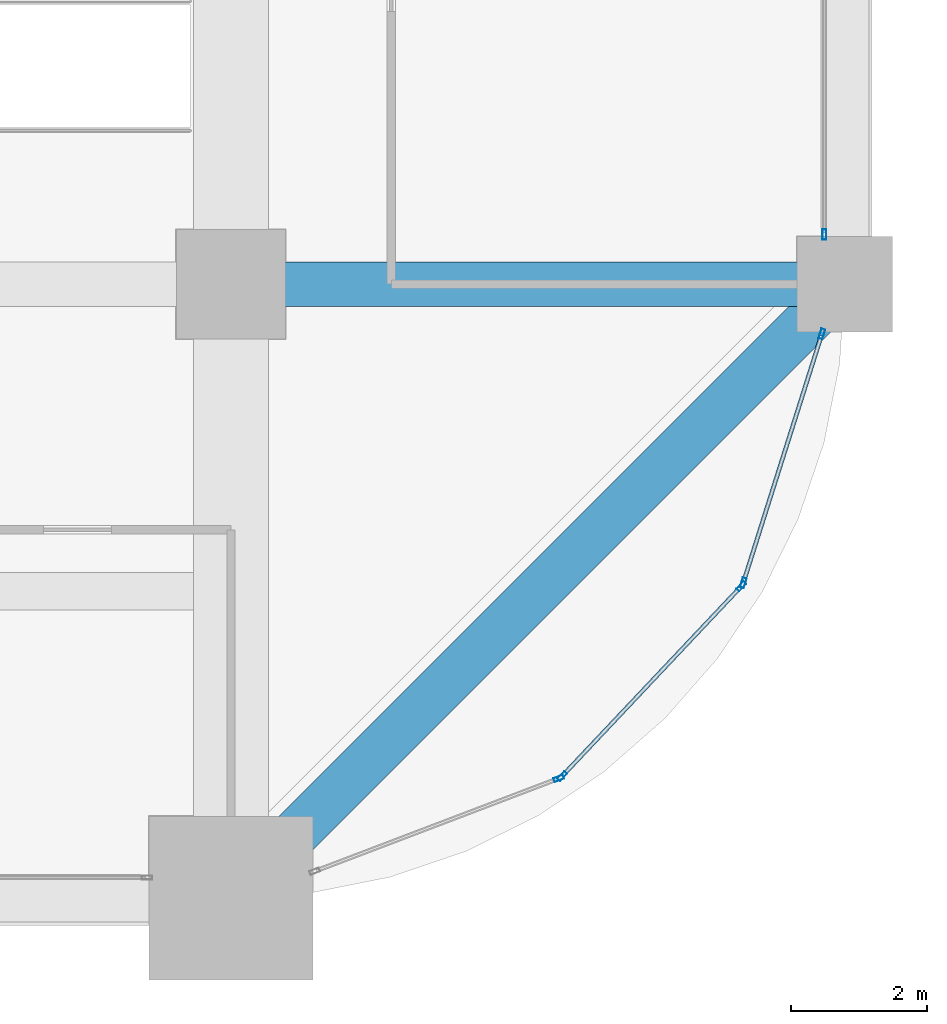
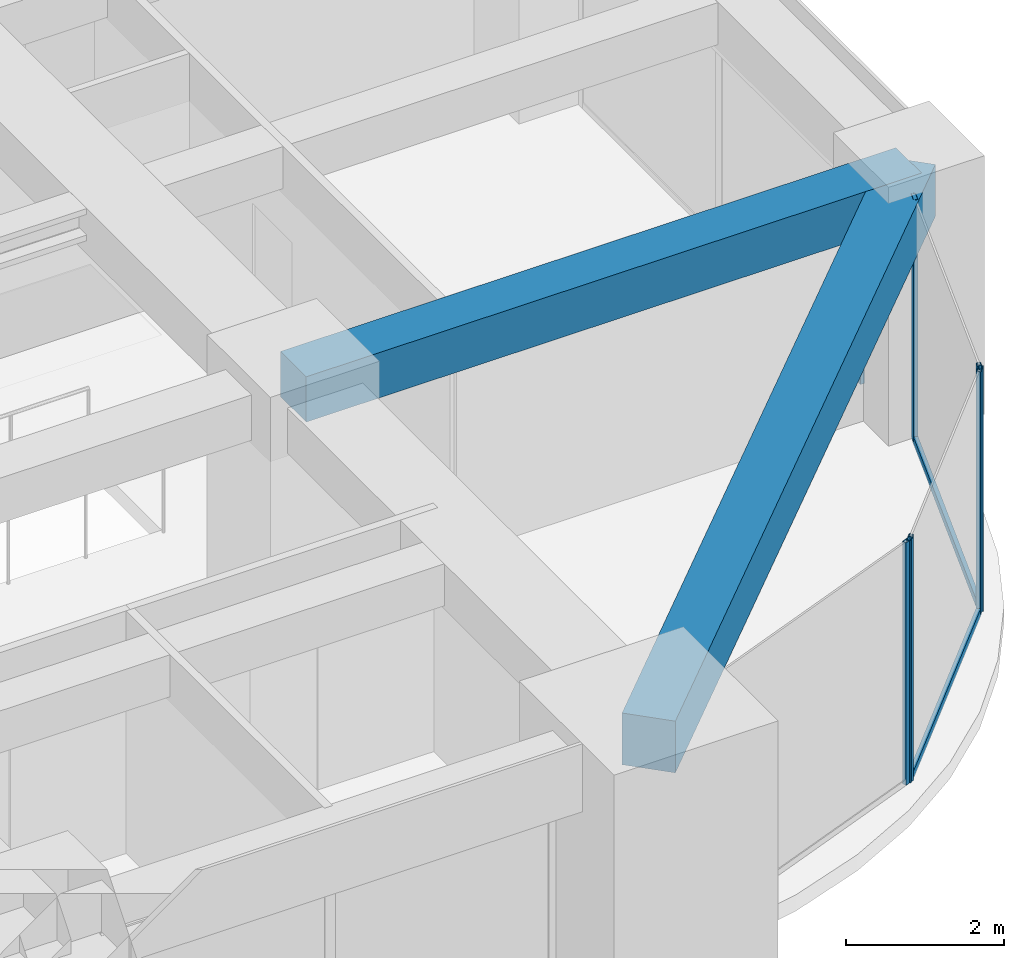
# One storey, part 16 of 33: 8 members, 2 beams, 4 elements without a shape of their own.
"""IFC4 building model written with IfcOpenShell, lengths in metres."""

from ifc_helpers import new_model, si_unit, direction, frame, origin, origin_2d, place, context, subcontext, project, spatial, rectangle, hollow_rectangle, extrude, material, material_profile, profile_set, type_object, element, aggregate, save


model = new_model("IFC4")

# Units and contexts
model_context = context("Model", 3, precision=1e-05, world=origin(), true_north=direction((0.0, 1.0)))
body_context = subcontext(model_context, "Body", "Model", "MODEL_VIEW")
ifc_project = project(units=[si_unit("LENGTHUNIT", "METRE"), si_unit("AREAUNIT", "SQUARE_METRE"), si_unit("VOLUMEUNIT", "CUBIC_METRE"), si_unit("PLANEANGLEUNIT", "RADIAN"), si_unit("MASSUNIT", "GRAM", prefix="KILO")], contexts=[model_context])

# Site, building, storey
site_placement = place(None, origin())
site = spatial("IfcSite", under=ifc_project, at=site_placement, CompositionType="ELEMENT")
building_placement = place(site_placement, origin())
building = spatial("IfcBuilding", under=site, at=building_placement, Name="Zorevar Civic Tower", CompositionType="ELEMENT")
storey_placement = place(building_placement, frame((0.0, 0.0, 178.199951171875)))
storey = spatial("IfcBuildingStorey", under=building, at=storey_placement, Name="L43", CompositionType="ELEMENT", Elevation=178.199951171875)

# Beam
ifc_material_1 = material(Name="Concrete C50/60", Category="concrete")
ifc_material_profile_1 = material_profile(ifc_material_1, rectangle(XDim=0.64990234375, YDim=0.699951171875, at=origin_2d()), Name="RC 650x700")
ifc_profile_set_1 = profile_set([ifc_material_profile_1], Name="Concrete C50/60")
beam_type_1 = type_object("IfcBeamType", Name="Beam RC 650x700", PredefinedType="BEAM", material=ifc_profile_set_1)
beam_1_placement = place(storey_placement, frame((45.0, 9.0, 3.400146484375), z_axis=(1.0, 0.0, 0.0), x_axis=(0.0, 1.0, 0.0)))
element("IfcBeam", 1, at=beam_1_placement, inside=storey, type_object=beam_type_1, Name="Girder L44", PredefinedType="BEAM", context=body_context, shape_type="SweptSolid", body=[
    extrude(rectangle(XDim=0.64990234375, YDim=0.699951171875, at=origin_2d()), origin(), (0.0, 0.0, 1.0), 9.0),
])

# Curtain wall, member
ifc_material_2 = material(Name="Dark grey solar-control glass in black aluminium frame", Category="aluminium")
curtain_wall_type = type_object("IfcCurtainWallType", Name="Curtain wall CW4 high zone", PredefinedType="NOTDEFINED", material=ifc_material_2)
curtain_wall_1_placement = place(storey_placement, origin())
curtain_wall_1 = element("IfcCurtainWall", 2, at=curtain_wall_1_placement, inside=storey, type_object=curtain_wall_type, Name="CW4 L43", PredefinedType="NOTDEFINED")
ifc_material_3 = material(Name="Aluminium, black anodised", Category="aluminium")
ifc_material_profile_2 = material_profile(ifc_material_3, hollow_rectangle(XDim=0.06005859375, YDim=0.14990234375, WallThickness=0.00390625, at=origin_2d()), Name="AL 150x60x4")
ifc_profile_set_2 = profile_set([ifc_material_profile_2], Name="Aluminium, black anodised")
member_type_1 = type_object("IfcMemberType", Name="CW4 mullion AL 150x60x4", PredefinedType="MULLION", material=ifc_profile_set_2)
member_1_placement = place(storey_placement, frame((53.699951171875, 9.72998046875, 0.0), z_axis=(0.0, 0.0, 1.0), x_axis=(-1.0, 0.0, 0.0)))
member_1 = element("IfcMember", 3, at=member_1_placement, type_object=member_type_1, Name="CW4 mullion 1", PredefinedType="MULLION", context=body_context, shape_type="SweptSolid", body=[
    extrude(hollow_rectangle(XDim=0.06005859375, YDim=0.14990234375, WallThickness=0.00390625, at=origin_2d()), origin(), (0.0, 0.0, 1.0), 2.949951171875),
])
aggregate(curtain_wall_1, [member_1])

curtain_wall_2_placement = place(storey_placement, origin())
curtain_wall_2 = element("IfcCurtainWall", 4, at=curtain_wall_2_placement, inside=storey, type_object=curtain_wall_type, Name="CW4 L43", PredefinedType="NOTDEFINED")
member_2_placement = place(storey_placement, frame((49.804931640625, 1.75537109375, 0.0), z_axis=(0.0, 0.0, 1.0), x_axis=(-0.355730895803, 0.93458842801, 0.0)))
member_2 = element("IfcMember", 5, at=member_2_placement, type_object=member_type_1, Name="CW4 mullion 2", PredefinedType="MULLION", context=body_context, shape_type="SweptSolid", body=[
    extrude(hollow_rectangle(XDim=0.06005859375, YDim=0.14990234375, WallThickness=0.00390625, at=origin_2d()), origin(), (0.0, 0.0, 1.0), 3.75),
])
aggregate(curtain_wall_2, [member_2])

# Curtain wall, members
curtain_wall_3_placement = place(storey_placement, origin())
curtain_wall_3 = element("IfcCurtainWall", 6, at=curtain_wall_3_placement, inside=storey, type_object=curtain_wall_type, Name="CW4 L43", PredefinedType="NOTDEFINED")
member_3_placement = place(storey_placement, frame((49.853759765625, 1.787841796875, 0.0), z_axis=(0.0, 0.0, 1.0), x_axis=(-0.727245053898, 0.686377907265, 0.0)))
member_3 = element("IfcMember", 7, at=member_3_placement, type_object=member_type_1, Name="CW4 mullion 1", PredefinedType="MULLION", context=body_context, shape_type="SweptSolid", body=[
    extrude(hollow_rectangle(XDim=0.06005859375, YDim=0.14990234375, WallThickness=0.00390625, at=origin_2d()), origin(), (0.0, 0.0, 1.0), 3.75),
])
member_4_placement = place(storey_placement, frame((52.480712890625, 4.5712890625, 0.0), z_axis=(0.0, 0.0, 1.0), x_axis=(-0.727245053898, 0.686377907265, 0.0)))
member_4 = element("IfcMember", 8, at=member_4_placement, type_object=member_type_1, Name="CW4 mullion 2", PredefinedType="MULLION", context=body_context, shape_type="SweptSolid", body=[
    extrude(hollow_rectangle(XDim=0.06005859375, YDim=0.14990234375, WallThickness=0.00390625, at=origin_2d()), origin(), (0.0, 0.0, 1.0), 3.75),
])

curtain_wall_4_placement = place(storey_placement, origin())
curtain_wall_4 = element("IfcCurtainWall", 9, at=curtain_wall_4_placement, inside=storey, type_object=curtain_wall_type, Name="CW4 L43", PredefinedType="NOTDEFINED")
member_5_placement = place(storey_placement, frame((52.51025390625, 4.62158203125, 0.0), z_axis=(0.0, 0.0, 1.0), x_axis=(-0.953589950678, 0.301108296077, 0.0)))
member_5 = element("IfcMember", 10, at=member_5_placement, type_object=member_type_1, Name="CW4 mullion 1", PredefinedType="MULLION", context=body_context, shape_type="SweptSolid", body=[
    extrude(hollow_rectangle(XDim=0.06005859375, YDim=0.14990234375, WallThickness=0.00390625, at=origin_2d()), origin(), (0.0, 0.0, 1.0), 3.75),
])
member_6_placement = place(storey_placement, frame((53.66259765625, 8.271484375, 0.0), z_axis=(0.0, 0.0, 1.0), x_axis=(-0.953589950678, 0.301108296077, 0.0)))
member_6 = element("IfcMember", 11, at=member_6_placement, type_object=member_type_1, Name="CW4 mullion 2", PredefinedType="MULLION", context=body_context, shape_type="SweptSolid", body=[
    extrude(hollow_rectangle(XDim=0.06005859375, YDim=0.14990234375, WallThickness=0.00390625, at=origin_2d()), origin(), (0.0, 0.0, 1.0), 3.75),
])

# Member
ifc_material_4 = material(Name="Aluminium, black anodised", Category="aluminium")
ifc_material_profile_3 = material_profile(ifc_material_4, hollow_rectangle(XDim=0.06005859375, YDim=0.1201171875, WallThickness=0.0029296875, at=origin_2d()), Name="AL 120x60x3")
ifc_profile_set_3 = profile_set([ifc_material_profile_3], Name="Aluminium, black anodised")
member_type_2 = type_object("IfcMemberType", Name="CW4 transom AL 120x60x3", PredefinedType="USERDEFINED", material=ifc_profile_set_3)
member_7_placement = place(storey_placement, frame((49.874267578125, 1.8095703125, 0.030029296875), z_axis=(0.686332338526, 0.727288059227, 0.0), x_axis=(-0.727288059227, 0.686332338526, 0.0)))
member_7 = element("IfcMember", 12, at=member_7_placement, type_object=member_type_2, Name="CW4 sill transom", ObjectType="TRANSOM", PredefinedType="USERDEFINED", context=body_context, shape_type="SweptSolid", body=[
    extrude(hollow_rectangle(XDim=0.06005859375, YDim=0.1201171875, WallThickness=0.0029296875, at=origin_2d()), origin(), (0.0, 0.0, 1.0), 3.767333984375),
])

aggregate(curtain_wall_3, [member_3, member_4, member_7])

member_8_placement = place(storey_placement, frame((52.519287109375, 4.650390625, 0.030029296875), z_axis=(0.301100351109, 0.953592459367, 0.0), x_axis=(-0.953592459367, 0.301100351109, 0.0)))
member_8 = element("IfcMember", 13, at=member_8_placement, type_object=member_type_2, Name="CW4 sill transom", ObjectType="TRANSOM", PredefinedType="USERDEFINED", context=body_context, shape_type="SweptSolid", body=[
    extrude(hollow_rectangle(XDim=0.06005859375, YDim=0.1201171875, WallThickness=0.0029296875, at=origin_2d()), origin(), (0.0, 0.0, 1.0), 3.76708984375),
])

aggregate(curtain_wall_4, [member_5, member_6, member_8])

# Beam
ifc_material_5 = material(Name="Concrete C50/60", Category="concrete")
ifc_material_profile_4 = material_profile(ifc_material_5, rectangle(XDim=0.699951171875, YDim=0.800048828125, at=origin_2d()), Name="RC 700x800")
ifc_profile_set_4 = profile_set([ifc_material_profile_4], Name="Concrete C50/60")
beam_type_2 = type_object("IfcBeamType", Name="Edge beam RC 700x800", PredefinedType="SPANDREL", material=ifc_profile_set_4)
beam_2_placement = place(storey_placement, frame((45.0, 0.0, 3.35009765625), z_axis=(0.707106781187, 0.707106781187, 0.0), x_axis=(-0.707106781187, 0.707106781187, 0.0)))
element("IfcBeam", 14, at=beam_2_placement, inside=storey, type_object=beam_type_2, Name="Corner edge beam L44", PredefinedType="SPANDREL", context=body_context, shape_type="SweptSolid", body=[
    extrude(rectangle(XDim=0.699951171875, YDim=0.800048828125, at=origin_2d()), origin(), (0.0, 0.0, 1.0), 12.72802734375),
])

save(model, "model.ifc")
